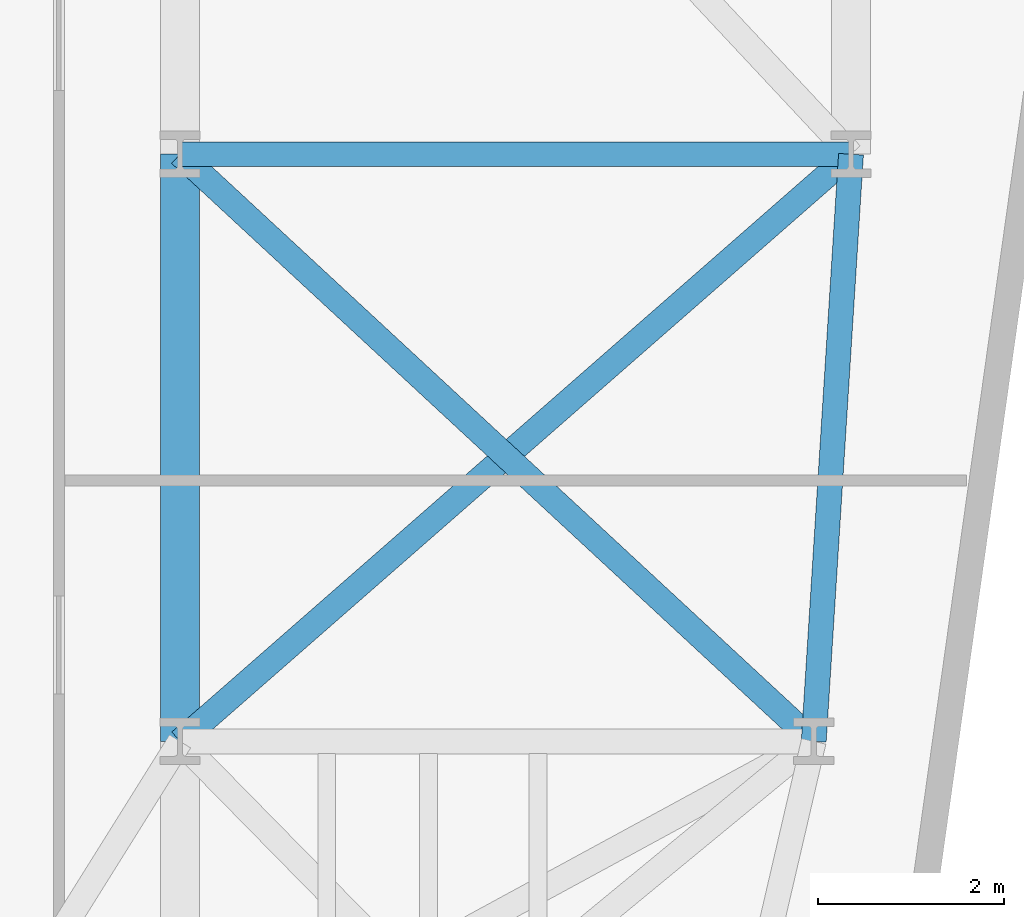
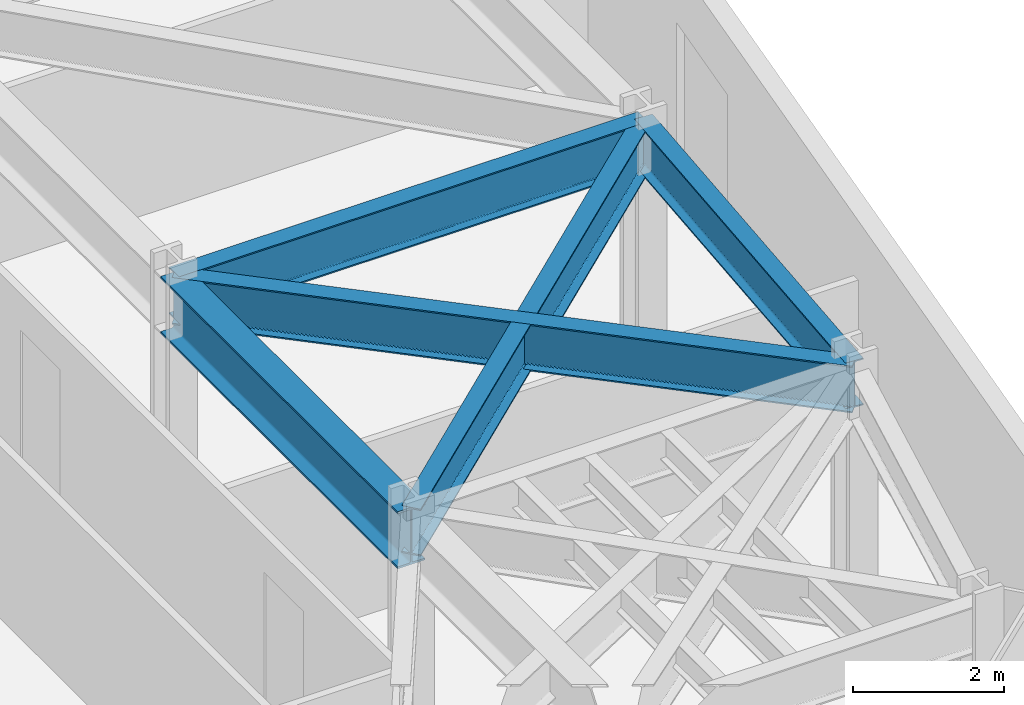
# One storey, part 14 of 25: 5 beams.
"""IFC4 building model written with IfcOpenShell, lengths in metres."""

import ifcopenshell
import ifcopenshell.guid

model = None  # the IFC model being written
_history = None  # IfcOwnerHistory: only IFC2X3 demands one
_inside = {}  # id of a spatial element -> (the spatial element, [elements in it])
_under = {}  # id of a project, library or spatial element -> (it, [spatial elements below it])
_declared = {}  # id of a project -> (the project, [libraries it declares])
_typed = {}  # id of a type object -> (the type object, [elements of that type])
_made_of = {}  # id of a material, layer set ... -> (it, [elements and type objects made of it])


def new_model(schema):
    """Start an empty IFC model of exactly this schema.

    Asked for "IFC4X3", IfcOpenShell would pick the latest addendum, in which some entities
    have other attributes; the version numbers below select the first issue.
    IFC2X3 requires an IfcOwnerHistory on every rooted entity: one is made here for all.
    """
    global model, _history
    if schema == "IFC4X3":
        model = ifcopenshell.file(schema_version=(4, 3, 0, 0))
    else:
        model = ifcopenshell.file(schema=schema)
    _inside.clear()
    _under.clear()
    _declared.clear()
    _typed.clear()
    _made_of.clear()
    _history = None
    if model.schema == "IFC2X3":
        org = make("IfcOrganization", Name="unknown")
        user = make(
            "IfcPersonAndOrganization",
            ThePerson=make("IfcPerson", FamilyName="unknown"),
            TheOrganization=org,
        )
        app = make(
            "IfcApplication",
            ApplicationDeveloper=org,
            Version="unknown",
            ApplicationFullName="unknown",
            ApplicationIdentifier="unknown",
        )
        _history = make(
            "IfcOwnerHistory",
            OwningUser=user,
            OwningApplication=app,
            ChangeAction="ADDED",
            CreationDate=0,
        )
    return model


def make(cls, **values):
    """One entity of the class cls with the attributes given. An attribute that is None is left unset."""
    return model.create_entity(
        cls, **{name: value for name, value in values.items() if value is not None}
    )


def rooted(cls, **values):
    """An entity with a GlobalId (a new one), such as an element, a storey or a relation."""
    return make(cls, GlobalId=ifcopenshell.guid.new(), OwnerHistory=_history, **values)


def si_unit(unit_type, name, prefix=None):
    """IfcSIUnit, for example si_unit("LENGTHUNIT", "METRE", prefix="MILLI")."""
    return make("IfcSIUnit", UnitType=unit_type, Prefix=prefix, Name=name)


def assignment(units):
    """IfcUnitAssignment: the units of a project."""
    return None if units is None else make("IfcUnitAssignment", Units=units)


def point(xyz):
    """IfcCartesianPoint."""
    return None if xyz is None else make("IfcCartesianPoint", Coordinates=xyz)


def direction(xyz):
    """IfcDirection."""
    return None if xyz is None else make("IfcDirection", DirectionRatios=xyz)


def frame(location, z_axis=None, x_axis=None):
    """IfcAxis2Placement3D, a coordinate frame: its origin and axes. An axis left out is left unset."""
    return make(
        "IfcAxis2Placement3D",
        Location=point(location),
        Axis=direction(z_axis),
        RefDirection=direction(x_axis),
    )


def frame_2d(location, x_axis=None):
    """IfcAxis2Placement2D, a coordinate frame in the plane: its origin and x axis."""
    return make(
        "IfcAxis2Placement2D", Location=point(location), RefDirection=direction(x_axis)
    )


def origin():
    """The frame at (0, 0, 0) with its axes left unset."""
    return frame((0.0, 0.0, 0.0))


def origin_2d():
    """The frame at (0, 0) in the plane with its x axis left unset."""
    return frame_2d((0.0, 0.0))


def place(relative_to, where):
    """IfcLocalPlacement: puts the frame where relative to a parent placement (None: the world)."""
    return make(
        "IfcLocalPlacement", PlacementRelTo=relative_to, RelativePlacement=where
    )


def context(
    kind, dimensions, precision=None, world=None, true_north=None, identifier=None
):
    """IfcGeometricRepresentationContext, for example the 3D "Model" context."""
    return make(
        "IfcGeometricRepresentationContext",
        ContextIdentifier=identifier,
        ContextType=kind,
        CoordinateSpaceDimension=dimensions,
        Precision=precision,
        WorldCoordinateSystem=world,
        TrueNorth=true_north,
    )


def subcontext(parent, identifier, kind, view, scale=None):
    """IfcGeometricRepresentationSubContext, for example "Body" below "Model"."""
    return make(
        "IfcGeometricRepresentationSubContext",
        ContextIdentifier=identifier,
        ContextType=kind,
        ParentContext=parent,
        TargetScale=scale,
        TargetView=view,
    )


def project(units=None, contexts=None):
    """IfcProject with its units and contexts."""
    return rooted(
        "IfcProject",
        Name="project",
        RepresentationContexts=contexts,
        UnitsInContext=assignment(units),
    )


def spatial(cls, under=None, at=None, **own):
    """A site, building, storey or space (cls), placed at a placement, below another one or the project."""
    s = rooted(cls, ObjectPlacement=at, **own)
    if under is not None:
        _under.setdefault(under.id(), (under, []))[1].append(s)
    return s


def profile(cls, at=None, kind="AREA", **sizes):
    """A parametric profile (cls). Its sizes go by their IFC names, for example OverallWidth=200.0."""
    return make(cls, ProfileType=kind, Position=at, **sizes)


def i_section(**sizes):
    """IfcIShapeProfileDef."""
    return profile("IfcIShapeProfileDef", **sizes)


def extrude(swept, where, along, depth):
    """IfcExtrudedAreaSolid: the profile swept, set in the frame where, extruded along a direction by depth."""
    return make(
        "IfcExtrudedAreaSolid",
        SweptArea=swept,
        Position=where,
        ExtrudedDirection=direction(along),
        Depth=depth,
    )


def shape(context_of_items, identifier, shape_type, items):
    """IfcShapeRepresentation: the items that make up one representation, for example the "Body"."""
    return make(
        "IfcShapeRepresentation",
        ContextOfItems=context_of_items,
        RepresentationIdentifier=identifier,
        RepresentationType=shape_type,
        Items=items,
    )


def material(Name=None, Category=None):
    """IfcMaterial."""
    return make("IfcMaterial", Name=Name, Category=Category)


def material_profile(
    of_material, cross_section, Name=None, Category=None, Priority=None
):
    """IfcMaterialProfile: a cross section and its material."""
    return make(
        "IfcMaterialProfile",
        Name=Name,
        Material=of_material,
        Profile=cross_section,
        Priority=Priority,
        Category=Category,
    )


def profile_set(profiles, Name=None, composite=None):
    """IfcMaterialProfileSet."""
    return make(
        "IfcMaterialProfileSet",
        Name=Name,
        MaterialProfiles=profiles,
        CompositeProfile=composite,
    )


def made_of(thing, what):
    """Note that an element or type object is made of a material, layer set ...; save() writes the relation."""
    if what is not None:
        _made_of.setdefault(what.id(), (what, []))[1].append(thing)
    return thing


def type_object(cls, material=None, **own):
    """A type object (cls), such as IfcWallType, which elements share."""
    return made_of(rooted(cls, **own), material)


def element(
    cls,
    number,
    at=None,
    inside=None,
    cuts=None,
    type_object=None,
    material=None,
    context=None,
    identifier="Body",
    shape_type=None,
    held_by="IfcProductDefinitionShape",
    body=None,
    shapes=None,
    **own,
):
    """One element of the class cls, such as IfcWall. Its Tag is "e" and its number.

    at: its placement. inside: the storey or other place that contains it. cuts: it is an
    opening in that element (IfcRelVoidsElement). A single representation is given by context,
    identifier, shape_type and body (its items); several are given by shapes. held_by: the class
    of the entity that holds the representations. save() writes the other relations.
    """
    e = rooted(cls, Tag="e%d" % number, ObjectPlacement=at, **own)
    if body is not None:
        shapes = [shape(context, identifier, shape_type, body)]
    if shapes is not None:
        e.Representation = make(held_by, Representations=shapes)
    if inside is not None:
        _inside.setdefault(inside.id(), (inside, []))[1].append(e)
    if cuts is not None:
        rooted(
            "IfcRelVoidsElement", RelatingBuildingElement=cuts, RelatedOpeningElement=e
        )
    if type_object is not None:
        _typed.setdefault(type_object.id(), (type_object, []))[1].append(e)
    return made_of(e, material)


def aggregate(whole, parts):
    """IfcRelAggregates: a whole, such as a stair, and the parts it consists of."""
    return rooted("IfcRelAggregates", RelatingObject=whole, RelatedObjects=parts)


def save(model, path):
    """Write the relations noted so far, then the file.

    IfcRelAggregates (storeys below a building ...), IfcRelContainedInSpatialStructure (elements
    in a storey), IfcRelDefinesByType, IfcRelAssociatesMaterial and IfcRelDeclares: one each for
    every whole, place, type object, material and project.
    """
    for whole, parts in _under.values():
        aggregate(whole, parts)
    for where, things in _inside.values():
        rooted(
            "IfcRelContainedInSpatialStructure",
            RelatedElements=things,
            RelatingStructure=where,
        )
    for kind, things in _typed.values():
        rooted("IfcRelDefinesByType", RelatedObjects=things, RelatingType=kind)
    for what, things in _made_of.values():
        rooted("IfcRelAssociatesMaterial", RelatedObjects=things, RelatingMaterial=what)
    for by, libraries in _declared.values():
        rooted("IfcRelDeclares", RelatingContext=by, RelatedDefinitions=libraries)
    model.write(path)


model = new_model("IFC4")

# Units and contexts
model_context = context("Model", 3, precision=1e-05, world=origin(), true_north=direction((0.0, 1.0)))
body_context = subcontext(model_context, "Body", "Model", "MODEL_VIEW")
ifc_project = project(units=[si_unit("LENGTHUNIT", "METRE"), si_unit("AREAUNIT", "SQUARE_METRE"), si_unit("VOLUMEUNIT", "CUBIC_METRE"), si_unit("PLANEANGLEUNIT", "RADIAN"), si_unit("MASSUNIT", "GRAM", prefix="KILO")], contexts=[model_context])

# Site, building, storey
site_placement = place(None, origin())
site = spatial("IfcSite", under=ifc_project, at=site_placement, CompositionType="ELEMENT")
building_placement = place(site_placement, origin())
building = spatial("IfcBuilding", under=site, at=building_placement, Name="Kravanh Interchange Tower", CompositionType="ELEMENT")
storey_placement = place(building_placement, frame((0.0, 0.0, 81.5)))
storey = spatial("IfcBuildingStorey", under=building, at=storey_placement, Name="L19", CompositionType="ELEMENT", Elevation=81.5)

# Beams
ifc_material_1 = material(Name="Structural Steel S355", Category="steel")
ifc_material_profile_1 = material_profile(ifc_material_1, i_section(OverallWidth=0.41796875, OverallDepth=0.927001953125, WebThickness=0.019287109375, FlangeThickness=0.031982421875, FilletRadius=0.028076171875, at=origin_2d()), Name="W36X231")
ifc_profile_set_1 = profile_set([ifc_material_profile_1], Name="Structural Steel S355")
beam_type_1 = type_object("IfcBeamType", Name="Floor Beam W36X231 Structural Steel S355", PredefinedType="BEAM", material=ifc_profile_set_1)
beam_1_placement = place(storey_placement, frame((56.0, 14.5, 3.256591796875), z_axis=(0.0, -1.0, 0.0), x_axis=(1.0, 0.0, 0.0)))
element("IfcBeam", 1, at=beam_1_placement, inside=storey, type_object=beam_type_1, Name="L19 Primary Floor Girder 42", PredefinedType="BEAM", context=body_context, shape_type="SweptSolid", body=[
    extrude(i_section(OverallWidth=0.41796875, OverallDepth=0.927001953125, WebThickness=0.019287109375, FlangeThickness=0.031982421875, FilletRadius=0.028076171875, at=origin_2d()), origin(), (0.0, 0.0, 1.0), 6.300048828125),
])
ifc_material_2 = material(Name="Structural Steel S355", Category="steel")
ifc_material_profile_2 = material_profile(ifc_material_2, i_section(OverallWidth=0.26708984375, OverallDepth=0.761962890625, WebThickness=0.014404296875, FlangeThickness=0.021484375, FilletRadius=0.02490234375, at=origin_2d()), Name="W30X116")
ifc_profile_set_2 = profile_set([ifc_material_profile_2], Name="Structural Steel S355")
beam_type_2 = type_object("IfcBeamType", Name="Floor Spandrel W30X116 Structural Steel S355", PredefinedType="SPANDREL", material=ifc_profile_set_2)
beam_2_placement = place(storey_placement, frame((56.0, 14.5, 3.339111328125), z_axis=(1.0, 0.0, 0.0), x_axis=(0.0, 1.0, 0.0)))
element("IfcBeam", 2, at=beam_2_placement, inside=storey, type_object=beam_type_2, Name="L19 Perimeter Spandrel 43", PredefinedType="SPANDREL", context=body_context, shape_type="SweptSolid", body=[
    extrude(i_section(OverallWidth=0.26708984375, OverallDepth=0.761962890625, WebThickness=0.014404296875, FlangeThickness=0.021484375, FilletRadius=0.02490234375, at=origin_2d()), origin(), (0.0, 0.0, 1.0), 7.199951171875),
])
beam_3_placement = place(storey_placement, frame((56.0, 14.5, 3.339111328125), z_axis=(0.733561267923, -0.679623326706, 0.0), x_axis=(0.679623326706, 0.733561267923, 0.0)))
element("IfcBeam", 3, at=beam_3_placement, inside=storey, type_object=beam_type_2, Name="L19 Perimeter Spandrel 45", PredefinedType="SPANDREL", context=body_context, shape_type="SweptSolid", body=[
    extrude(i_section(OverallWidth=0.26708984375, OverallDepth=0.761962890625, WebThickness=0.014404296875, FlangeThickness=0.021484375, FilletRadius=0.02490234375, at=origin_2d()), origin(), (0.0, 0.0, 1.0), 9.27001953125),
])
beam_4_placement = place(storey_placement, frame((63.199951171875, 14.5, 3.339111328125), z_axis=(-0.063348576418, -0.99799146182, 0.0), x_axis=(0.99799146182, -0.063348576418, 0.0)))
element("IfcBeam", 4, at=beam_4_placement, inside=storey, type_object=beam_type_2, Name="L19 Perimeter Spandrel 46", PredefinedType="SPANDREL", context=body_context, shape_type="SweptSolid", body=[
    extrude(i_section(OverallWidth=0.26708984375, OverallDepth=0.761962890625, WebThickness=0.014404296875, FlangeThickness=0.021484375, FilletRadius=0.02490234375, at=origin_2d()), origin(), (0.0, 0.0, 1.0), 6.312744140625),
])
beam_5_placement = place(storey_placement, frame((63.199951171875, 14.5, 3.339111328125), z_axis=(-0.752571952274, -0.658510027752, 0.0), x_axis=(0.658510027752, -0.752571952274, 0.0)))
element("IfcBeam", 5, at=beam_5_placement, inside=storey, type_object=beam_type_2, Name="L19 Perimeter Spandrel 48", PredefinedType="SPANDREL", context=body_context, shape_type="SweptSolid", body=[
    extrude(i_section(OverallWidth=0.26708984375, OverallDepth=0.761962890625, WebThickness=0.014404296875, FlangeThickness=0.021484375, FilletRadius=0.02490234375, at=origin_2d()), origin(), (0.0, 0.0, 1.0), 9.567138671875),
])

save(model, "model.ifc")
